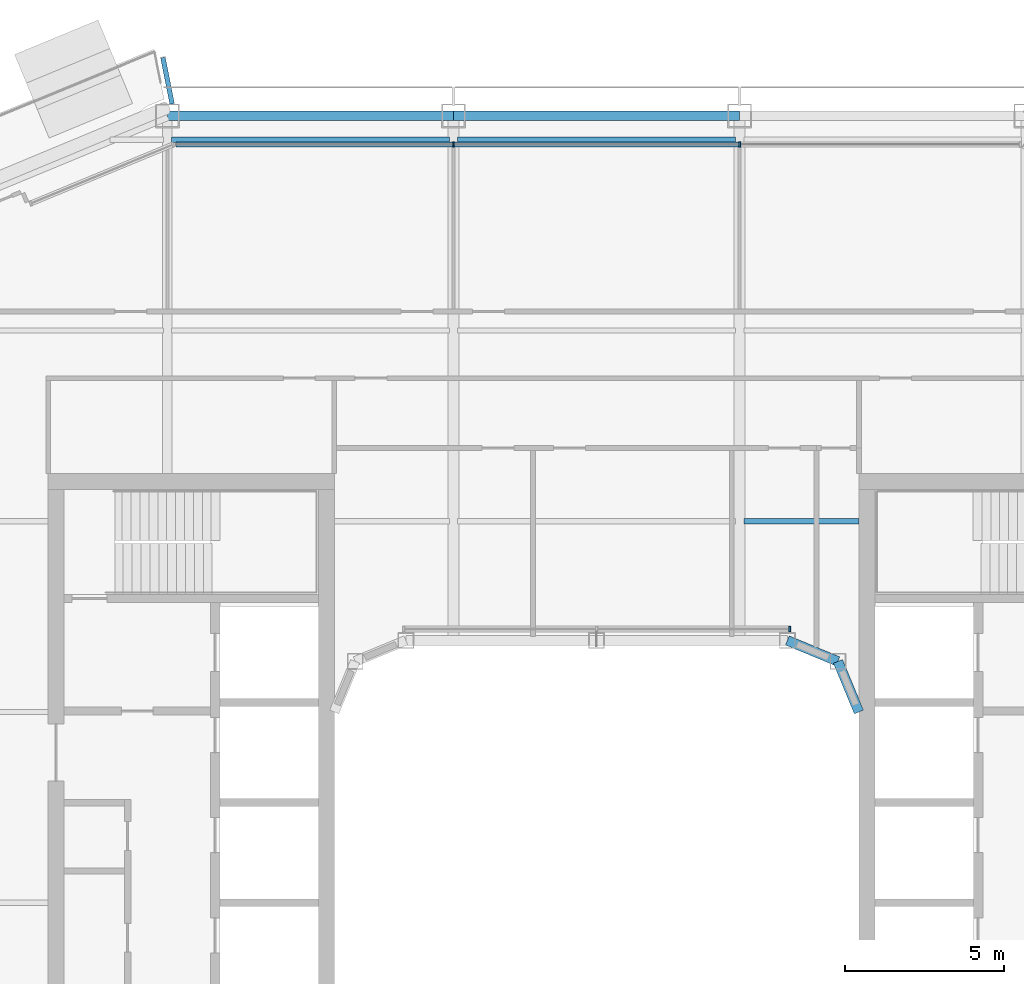
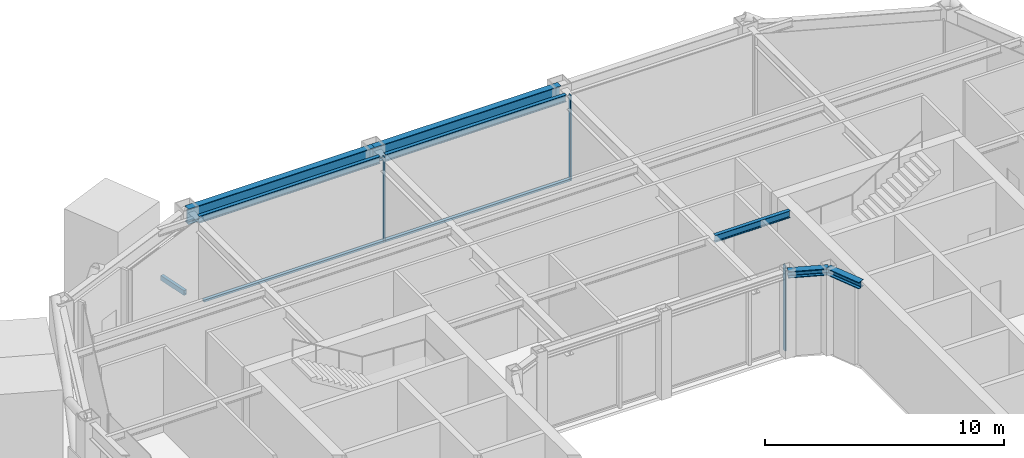
# One storey, part 8 of 21: 8 beams, 5 members, 2 elements without a shape of their own.
"""IFC4 building model written with IfcOpenShell, lengths in metres."""

from ifc_helpers import new_model, si_unit, direction, frame, origin, origin_2d, place, context, subcontext, project, spatial, rectangle, hollow_rectangle, i_section, extrude, material, layer, layer_set, material_profile, profile_set, type_object, element, aggregate, save


model = new_model("IFC4")

# Units and contexts
model_context = context("Model", 3, precision=1e-05, world=origin(), true_north=direction((0.0, 1.0)))
body_context = subcontext(model_context, "Body", "Model", "MODEL_VIEW")
ifc_project = project(units=[si_unit("LENGTHUNIT", "METRE"), si_unit("AREAUNIT", "SQUARE_METRE"), si_unit("VOLUMEUNIT", "CUBIC_METRE"), si_unit("PLANEANGLEUNIT", "RADIAN"), si_unit("MASSUNIT", "GRAM", prefix="KILO")], contexts=[model_context])

# Site, building, storey
site_placement = place(None, origin())
site = spatial("IfcSite", under=ifc_project, at=site_placement, CompositionType="ELEMENT")
building_placement = place(site_placement, origin())
building = spatial("IfcBuilding", under=site, at=building_placement, Name="Siwar Civic Tower", CompositionType="ELEMENT")
storey_placement = place(building_placement, frame((0.0, 0.0, 294.199951171875)))
storey = spatial("IfcBuildingStorey", under=building, at=storey_placement, Name="L63", CompositionType="ELEMENT", Elevation=294.199951171875)

# Beam
ifc_material_1 = material(Name="Steel S355", Category="steel")
ifc_material_profile_1 = material_profile(ifc_material_1, hollow_rectangle(XDim=0.14990234375, YDim=0.25, WallThickness=0.010009765625, at=origin_2d()), Name="RHS250x150x10")
ifc_profile_set_1 = profile_set([ifc_material_profile_1], Name="Steel S355")
beam_type_1 = type_object("IfcBeamType", Name="ENV-BALCONY ARM", PredefinedType="BEAM", material=ifc_profile_set_1)
beam_1_placement = place(storey_placement, frame((-13.350341796875, 25.125, -0.27490234375), z_axis=(-0.195012073712, 0.980800841714, 0.0), x_axis=(-0.980800841714, -0.195012073712, 0.0)))
element("IfcBeam", 1, at=beam_1_placement, inside=storey, type_object=beam_type_1, Name="Balcony cantilever beam NW 1", PredefinedType="BEAM", context=body_context, shape_type="SweptSolid", body=[
    extrude(hollow_rectangle(XDim=0.14990234375, YDim=0.25, WallThickness=0.010009765625, at=origin_2d()), origin(), (0.0, 0.0, 1.0), 1.488525390625),
])

# Curtain wall, members
ifc_material_2 = material(Name="Aluminium and glass", Category="aluminium")
ifc_layer_1 = layer(ifc_material_2, 0.159912109375)
ifc_layer_set_1 = layer_set([ifc_layer_1], Name="Aluminium and glass")
curtain_wall_type_1 = type_object("IfcCurtainWallType", Name="ENV-CW-D", PredefinedType="NOTDEFINED", material=ifc_layer_set_1)
curtain_wall_1_placement = place(storey_placement, origin())
curtain_wall_1 = element("IfcCurtainWall", 2, at=curtain_wall_1_placement, inside=storey, type_object=curtain_wall_type_1, Name="Curtain wall D N", PredefinedType="NOTDEFINED")
ifc_material_3 = material(Name="Aluminium 6063-T6", Category="aluminium")
ifc_material_profile_2 = material_profile(ifc_material_3, rectangle(XDim=0.159912109375, YDim=0.06005859375, at=origin_2d()), Name="AL 160x60")
ifc_profile_set_2 = profile_set([ifc_material_profile_2], Name="Aluminium 6063-T6")
member_type_1 = type_object("IfcMemberType", Name="ENV-MULLION-D", PredefinedType="MULLION", material=ifc_profile_set_2)
member_1_placement = place(storey_placement, frame((4.5, 23.85009765625, 0.0), z_axis=(0.0, 0.0, 1.0), x_axis=(0.0, -1.0, 0.0)))
member_1 = element("IfcMember", 3, at=member_1_placement, type_object=member_type_1, Name="Mullion D N 2", PredefinedType="MULLION", context=body_context, shape_type="SweptSolid", body=[
    extrude(rectangle(XDim=0.159912109375, YDim=0.06005859375, at=origin_2d()), origin(), (0.0, 0.0, 1.0), 4.35009765625),
])
member_2_placement = place(storey_placement, frame((-4.5, 23.85009765625, 0.0), z_axis=(0.0, 0.0, 1.0), x_axis=(0.0, -1.0, 0.0)))
member_2 = element("IfcMember", 4, at=member_2_placement, type_object=member_type_1, Name="Mullion D N 3", PredefinedType="MULLION", context=body_context, shape_type="SweptSolid", body=[
    extrude(rectangle(XDim=0.159912109375, YDim=0.06005859375, at=origin_2d()), origin(), (0.0, 0.0, 1.0), 4.35009765625),
])

# Curtain wall, member
ifc_material_4 = material(Name="Aluminium and glass", Category="aluminium")
ifc_layer_2 = layer(ifc_material_4, 0.179931640625)
ifc_layer_set_2 = layer_set([ifc_layer_2], Name="Aluminium and glass")
curtain_wall_type_2 = type_object("IfcCurtainWallType", Name="ENV-CW-W", PredefinedType="NOTDEFINED", material=ifc_layer_set_2)
curtain_wall_2_placement = place(storey_placement, origin())
curtain_wall_2 = element("IfcCurtainWall", 5, at=curtain_wall_2_placement, inside=storey, type_object=curtain_wall_type_2, Name="Curtain wall W WN", PredefinedType="NOTDEFINED")
ifc_material_5 = material(Name="Aluminium 6063-T6", Category="aluminium")
ifc_material_profile_3 = material_profile(ifc_material_5, rectangle(XDim=0.179931640625, YDim=0.06005859375, at=origin_2d()), Name="AL 180x60")
ifc_profile_set_3 = profile_set([ifc_material_profile_3], Name="Aluminium 6063-T6")
member_type_2 = type_object("IfcMemberType", Name="ENV-MULLION-W", PredefinedType="MULLION", material=ifc_profile_set_3)
member_3_placement = place(storey_placement, frame((6.071533203125, 8.610107421875, 0.0), z_axis=(0.0, 0.0, 1.0), x_axis=(0.0, -1.0, 0.0)))
member_3 = element("IfcMember", 6, at=member_3_placement, type_object=member_type_2, Name="Mullion W WN 1", PredefinedType="MULLION", context=body_context, shape_type="SweptSolid", body=[
    extrude(rectangle(XDim=0.179931640625, YDim=0.06005859375, at=origin_2d()), origin(), (0.0, 0.0, 1.0), 4.35009765625),
])
aggregate(curtain_wall_2, [member_3])

# Member
ifc_material_6 = material(Name="Aluminium 6063-T6", Category="aluminium")
ifc_material_profile_4 = material_profile(ifc_material_6, rectangle(XDim=0.159912109375, YDim=0.10009765625, at=origin_2d()), Name="AL 160x100")
ifc_profile_set_4 = profile_set([ifc_material_profile_4], Name="Aluminium 6063-T6")
member_type_3 = type_object("IfcMemberType", Name="ENV-TRANSOM-D", PredefinedType="USERDEFINED", material=ifc_profile_set_4)
member_4_placement = place(storey_placement, frame((4.469970703125, 23.85009765625, 0.050048828125), z_axis=(-1.0, 0.0, 0.0), x_axis=(0.0, -1.0, 0.0)))
member_4 = element("IfcMember", 7, at=member_4_placement, type_object=member_type_3, Name="Transom D N 2", ObjectType="TRANSOM", PredefinedType="USERDEFINED", context=body_context, shape_type="SweptSolid", body=[
    extrude(rectangle(XDim=0.159912109375, YDim=0.10009765625, at=origin_2d()), origin(), (0.0, 0.0, 1.0), 8.93994140625),
])

member_5_placement = place(storey_placement, frame((-4.530029296875, 23.85009765625, 0.050048828125), z_axis=(-1.0, 0.0, 0.0), x_axis=(0.0, -1.0, 0.0)))
member_5 = element("IfcMember", 8, at=member_5_placement, type_object=member_type_3, Name="Transom D N 3", ObjectType="TRANSOM", PredefinedType="USERDEFINED", context=body_context, shape_type="SweptSolid", body=[
    extrude(rectangle(XDim=0.159912109375, YDim=0.10009765625, at=origin_2d()), origin(), (0.0, 0.0, 1.0), 8.693115234375),
])

aggregate(curtain_wall_1, [member_1, member_2, member_4, member_5])

# Beams
ifc_material_7 = material(Name="Steel S355", Category="steel")
ifc_material_profile_5 = material_profile(ifc_material_7, i_section(OverallWidth=0.169921875, OverallDepth=0.360107421875, WebThickness=0.008056640625, FlangeThickness=0.0126953125, FilletRadius=0.01806640625, at=origin_2d()), Name="IPE360")
ifc_profile_set_5 = profile_set([ifc_material_profile_5], Name="Steel S355")
beam_type_2 = type_object("IfcBeamType", Name="STR-FB-IPE360", PredefinedType="JOIST", material=ifc_profile_set_5)
beam_2_placement = place(storey_placement, frame((4.6298828125, 12.0, 4.170166015625), z_axis=(1.0, 0.0, 0.0), x_axis=(0.0, 1.0, 0.0)))
element("IfcBeam", 9, at=beam_2_placement, inside=storey, type_object=beam_type_2, Name="L63/bm/F025", PredefinedType="JOIST", context=body_context, shape_type="SweptSolid", body=[
    extrude(i_section(OverallWidth=0.169921875, OverallDepth=0.360107421875, WebThickness=0.008056640625, FlangeThickness=0.0126953125, FilletRadius=0.01806640625, at=origin_2d()), origin(), (0.0, 0.0, 1.0), 3.6201171875),
])
for number, where, z_axis, x_axis, name in (
    (10, (-13.3701171875, 24.0, 4.170166015625), (1.0, 0.0, 0.0), (0.0, 1.0, 0.0), "L63/bm/F033"),
    (11, (-4.3701171875, 24.0, 4.170166015625), (1.0, 0.0, 0.0), (0.0, 1.0, 0.0), "L63/bm/F034"),
):
    element("IfcBeam", number, at=place(storey_placement, frame(where, z_axis=z_axis, x_axis=x_axis)), inside=storey, type_object=beam_type_2, Name=name, PredefinedType="JOIST", context=body_context, shape_type="SweptSolid", body=[
        extrude(i_section(OverallWidth=0.169921875, OverallDepth=0.360107421875, WebThickness=0.008056640625, FlangeThickness=0.0126953125, FilletRadius=0.01806640625, at=origin_2d()), origin(), (0.0, 0.0, 1.0), 8.740234375),
    ])
ifc_material_8 = material(Name="Steel S355", Category="steel")
ifc_material_profile_6 = material_profile(ifc_material_8, i_section(OverallWidth=0.31005859375, OverallDepth=0.340087890625, WebThickness=0.02099609375, FlangeThickness=0.0390625, FilletRadius=0.027099609375, at=origin_2d()), Name="HEM300")
ifc_profile_set_6 = profile_set([ifc_material_profile_6], Name="Steel S355")
beam_type_3 = type_object("IfcBeamType", Name="STR-RB-HEM300", PredefinedType="BEAM", material=ifc_profile_set_6)
for number, where, z_axis, x_axis, name in (
    (12, (6.0, 8.25, 4.179931640625), (0.923901072997, -0.382631424892, 0.0), (0.382631424892, 0.923901072997, 0.0), "L63/bm/RN3"),
    (13, (7.591064453125, 7.591064453125, 4.179931640625), (0.382631424892, -0.923901072997, 0.0), (0.923901072997, 0.382631424892, 0.0), "L63/bm/RNEE"),
):
    element("IfcBeam", number, at=place(storey_placement, frame(where, z_axis=z_axis, x_axis=x_axis)), inside=storey, type_object=beam_type_3, Name=name, PredefinedType="BEAM", context=body_context, shape_type="SweptSolid", body=[
        extrude(i_section(OverallWidth=0.31005859375, OverallDepth=0.340087890625, WebThickness=0.02099609375, FlangeThickness=0.0390625, FilletRadius=0.027099609375, at=origin_2d()), origin(), (0.0, 0.0, 1.0), 1.72216796875),
    ])
ifc_material_9 = material(Name="Steel S355", Category="steel")
ifc_material_profile_7 = material_profile(ifc_material_9, i_section(OverallWidth=0.300048828125, OverallDepth=0.800048828125, WebThickness=0.017578125, FlangeThickness=0.032958984375, FilletRadius=0.030029296875, at=origin_2d()), Name="HEB800")
ifc_profile_set_7 = profile_set([ifc_material_profile_7], Name="Steel S355")
beam_type_4 = type_object("IfcBeamType", Name="STR-SB-HEB800", PredefinedType="BEAM", material=ifc_profile_set_7)
for number, where, z_axis, x_axis, name in (
    (14, (4.5, 24.75, 3.949951171875), (-1.0, 0.0, 0.0), (0.0, -1.0, 0.0), "L63/bm/SN-1"),
    (15, (-4.5, 24.75, 3.949951171875), (-1.0, 0.0, 0.0), (0.0, -1.0, 0.0), "L63/bm/SN-2"),
):
    element("IfcBeam", number, at=place(storey_placement, frame(where, z_axis=z_axis, x_axis=x_axis)), inside=storey, type_object=beam_type_4, Name=name, PredefinedType="BEAM", context=body_context, shape_type="SweptSolid", body=[
        extrude(i_section(OverallWidth=0.300048828125, OverallDepth=0.800048828125, WebThickness=0.017578125, FlangeThickness=0.032958984375, FilletRadius=0.030029296875, at=origin_2d()), origin(), (0.0, 0.0, 1.0), 9.0),
    ])

save(model, "model.ifc")
